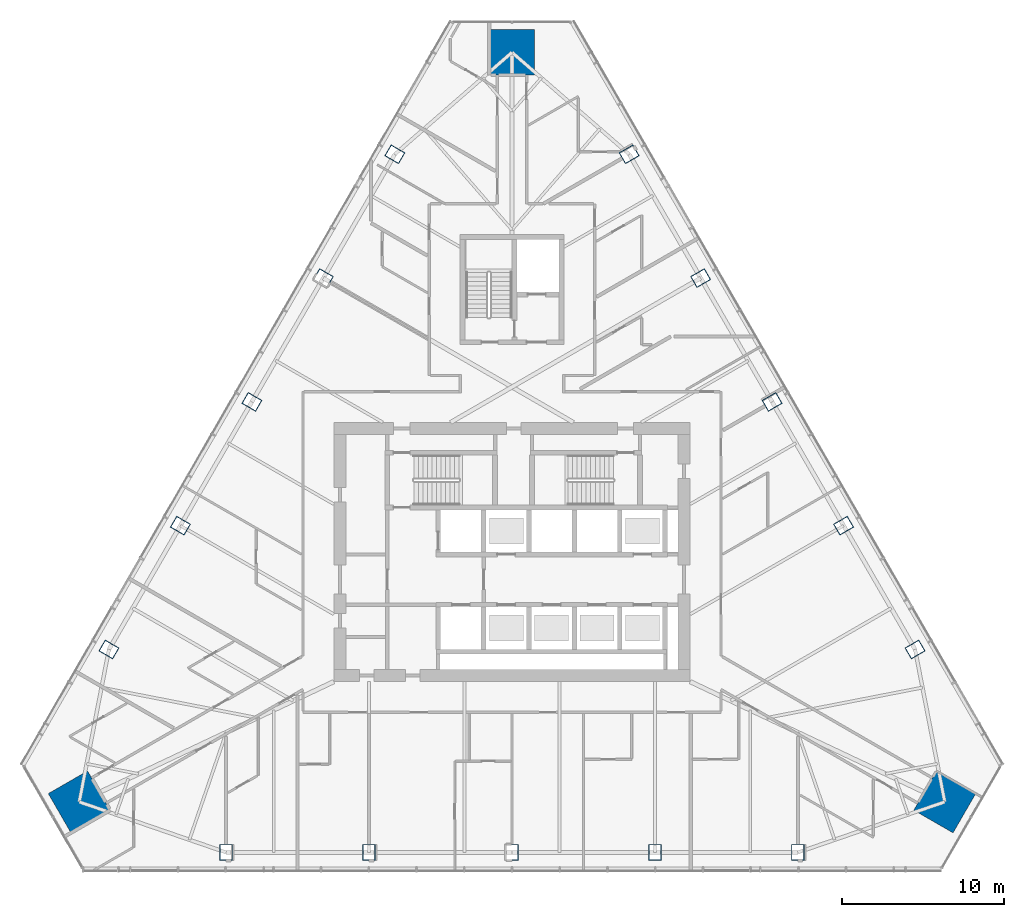
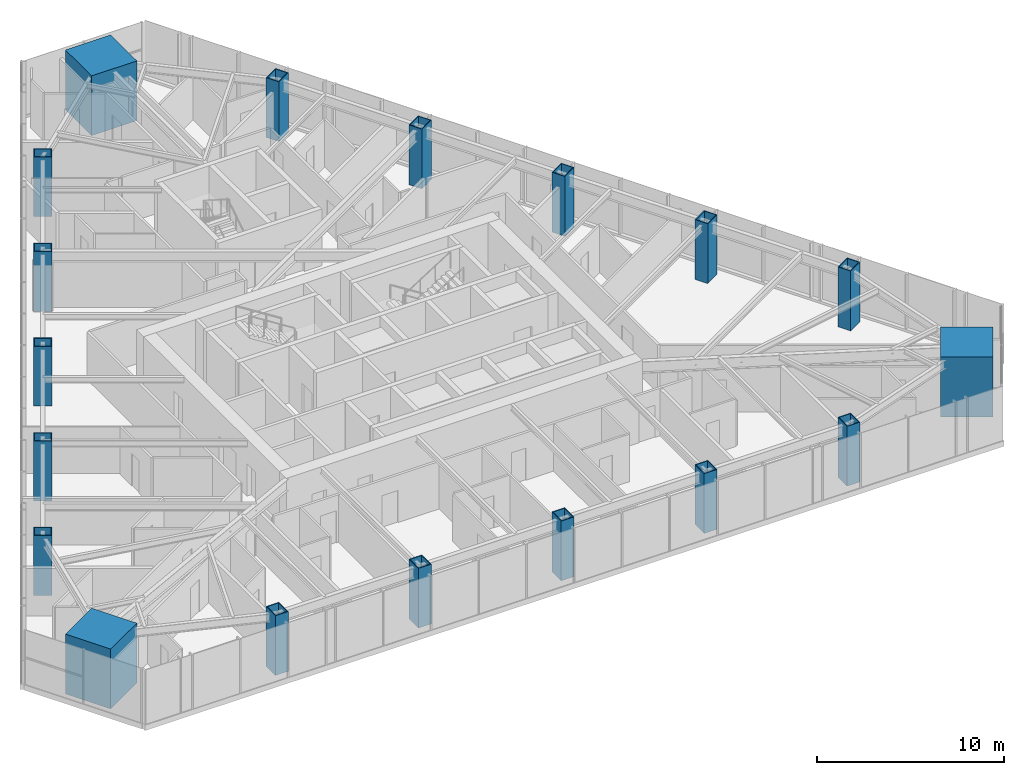
# One storey, part 1 of 19: 18 columns.
"""IFC4 building model written with IfcOpenShell, lengths in metres."""

from ifc_helpers import new_model, si_unit, direction, frame, origin, origin_2d, place, context, subcontext, project, spatial, rectangle, hollow_rectangle, extrude, material, material_profile, profile_set, type_object, element, save


model = new_model("IFC4")

# Units and contexts
model_context = context("Model", 3, precision=1e-05, world=origin(), true_north=direction((0.0, 1.0)))
body_context = subcontext(model_context, "Body", "Model", "MODEL_VIEW")
ifc_project = project(units=[si_unit("LENGTHUNIT", "METRE"), si_unit("AREAUNIT", "SQUARE_METRE"), si_unit("VOLUMEUNIT", "CUBIC_METRE"), si_unit("PLANEANGLEUNIT", "RADIAN"), si_unit("MASSUNIT", "GRAM", prefix="KILO")], contexts=[model_context])

# Site, building, storey
site_placement = place(None, origin())
site = spatial("IfcSite", under=ifc_project, at=site_placement, CompositionType="ELEMENT")
building_placement = place(site_placement, origin())
building = spatial("IfcBuilding", under=site, at=building_placement, Name="Firuza Gate Tower and Library", CompositionType="ELEMENT")
storey_placement = place(building_placement, frame((0.0, 0.0, 183.10009765625)))
storey = spatial("IfcBuildingStorey", under=building, at=storey_placement, Name="L42", CompositionType="ELEMENT", Elevation=183.10009765625)

# Columns
ifc_material_1 = material(Name="Steel S355", Category="steel")
ifc_material_profile_1 = material_profile(ifc_material_1, hollow_rectangle(XDim=0.800048828125, YDim=1.0, WallThickness=0.050048828125, at=origin_2d()))
ifc_profile_set_1 = profile_set([ifc_material_profile_1], Name="Steel S355")
column_type_1 = type_object("IfcColumnType", Name="BU1000x800x50 Composite box column", PredefinedType="COLUMN", material=ifc_profile_set_1)
for number, where, z_axis, x_axis, name in (
    (1, (57.352294921875, 56.459716796875, -0.00048828125), (0.0, 0.0, 1.0), (1.0, 0.0, 0.0), "Column S1 L42"),
    (2, (66.176025390625, 56.459716796875, -0.00048828125), (0.0, 0.0, 1.0), (1.0, 0.0, 0.0), "Column S2 L42"),
    (3, (75.0, 56.459716796875, -0.00048828125), (0.0, 0.0, 1.0), (1.0, 0.0, 0.0), "Column S3 L42"),
    (4, (83.823974609375, 56.459716796875, -0.00048828125), (0.0, 0.0, 1.0), (1.0, 0.0, 0.0), "Column S4 L42"),
    (5, (92.647705078125, 56.459716796875, -0.00048828125), (0.0, 0.0, 1.0), (1.0, 0.0, 0.0), "Column S5 L42"),
    (6, (99.880126953125, 68.98681640625, -0.00048828125), (0.0, 0.0, 1.0), (-0.5, 0.866025403784, 0.0), "Column E1 L42"),
    (7, (95.46826171875, 76.62841796875, -0.00048828125), (0.0, 0.0, 1.0), (-0.5, 0.866025403784, 0.0), "Column E2 L42"),
    (8, (91.056396484375, 84.270263671875, -0.00048828125), (0.0, 0.0, 1.0), (-0.5, 0.866025403784, 0.0), "Column E3 L42"),
    (9, (86.64453125, 91.911865234375, -0.00048828125), (0.0, 0.0, 1.0), (-0.5, 0.866025403784, 0.0), "Column E4 L42"),
    (10, (82.232421875, 99.553466796875, -0.00048828125), (0.0, 0.0, 1.0), (-0.5, 0.866025403784, 0.0), "Column E5 L42"),
    (11, (67.767578125, 99.553466796875, -0.00048828125), (0.0, 0.0, 1.0), (-0.5, -0.866025403784, 0.0), "Column W1 L42"),
    (12, (63.35546875, 91.911865234375, -0.00048828125), (0.0, 0.0, 1.0), (-0.5, -0.866025403784, 0.0), "Column W2 L42"),
    (13, (58.943603515625, 84.270263671875, -0.00048828125), (0.0, 0.0, 1.0), (-0.5, -0.866025403784, 0.0), "Column W3 L42"),
    (14, (54.53173828125, 76.62841796875, -0.00048828125), (0.0, 0.0, 1.0), (-0.5, -0.866025403784, 0.0), "Column W4 L42"),
    (15, (50.119873046875, 68.98681640625, -0.00048828125), (0.0, 0.0, 1.0), (-0.5, -0.866025403784, 0.0), "Column W5 L42"),
):
    element("IfcColumn", number, at=place(storey_placement, frame(where, z_axis=z_axis, x_axis=x_axis)), inside=storey, type_object=column_type_1, Name=name, PredefinedType="COLUMN", context=body_context, shape_type="SweptSolid", body=[
        extrude(hollow_rectangle(XDim=0.800048828125, YDim=1.0, WallThickness=0.050048828125, at=origin_2d()), origin(), (0.0, 0.0, 1.0), 3.900390625),
    ])
ifc_material_2 = material(Name="Concrete C80/95", Category="concrete")
ifc_material_profile_2 = material_profile(ifc_material_2, rectangle(XDim=2.800048828125, YDim=2.800048828125, at=origin_2d()))
ifc_profile_set_2 = profile_set([ifc_material_profile_2], Name="Concrete C80/95")
column_type_2 = type_object("IfcColumnType", Name="Mega column 2800x2800 C80/95", PredefinedType="COLUMN", material=ifc_profile_set_2)
for number, where, z_axis, x_axis, name in (
    (16, (101.712646484375, 59.577392578125, 0.0), (0.0, 0.0, 1.0), (0.5, 0.866025403784, 0.0), "Mega column SE L42"),
    (17, (75.0, 105.84521484375, 0.0), (0.0, 0.0, 1.0), (-1.0, 0.0, 0.0), "Mega column N L42"),
    (18, (48.287353515625, 59.577392578125, 0.0), (0.0, 0.0, 1.0), (0.5, -0.866025403784, 0.0), "Mega column SW L42"),
):
    element("IfcColumn", number, at=place(storey_placement, frame(where, z_axis=z_axis, x_axis=x_axis)), inside=storey, type_object=column_type_2, Name=name, PredefinedType="COLUMN", context=body_context, shape_type="SweptSolid", body=[
        extrude(rectangle(XDim=2.800048828125, YDim=2.800048828125, at=origin_2d()), origin(), (0.0, 0.0, 1.0), 3.89990234375),
    ])

save(model, "model.ifc")
